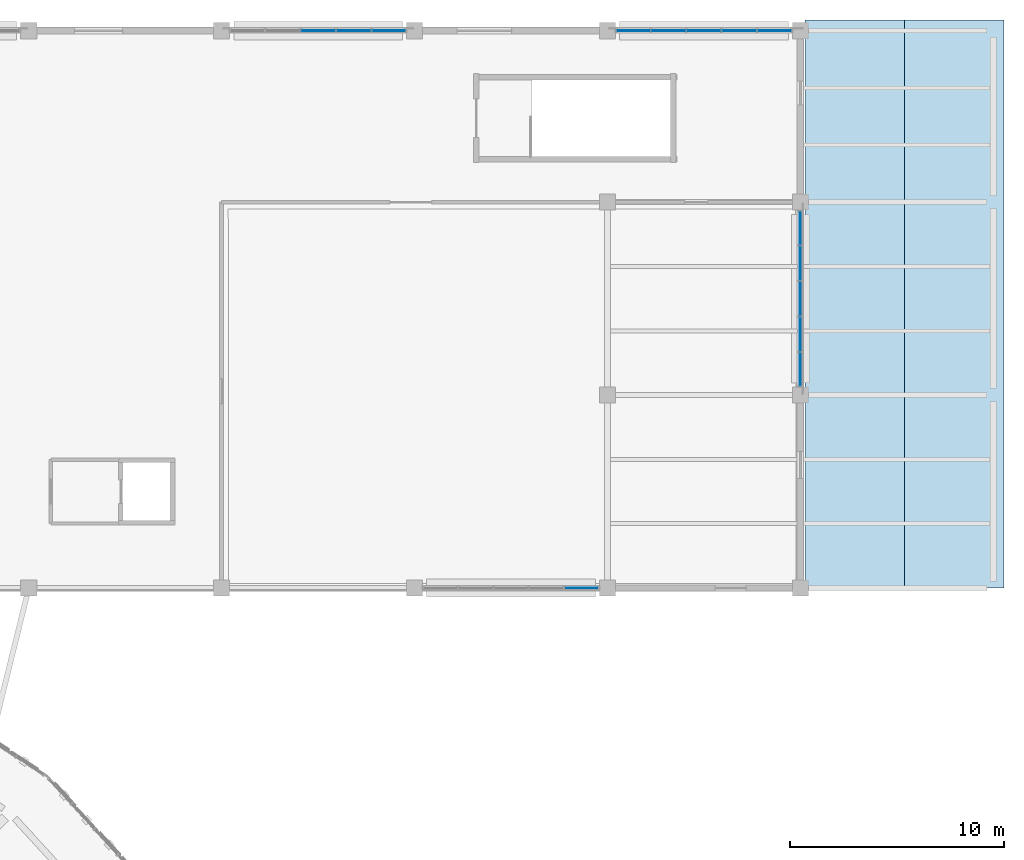
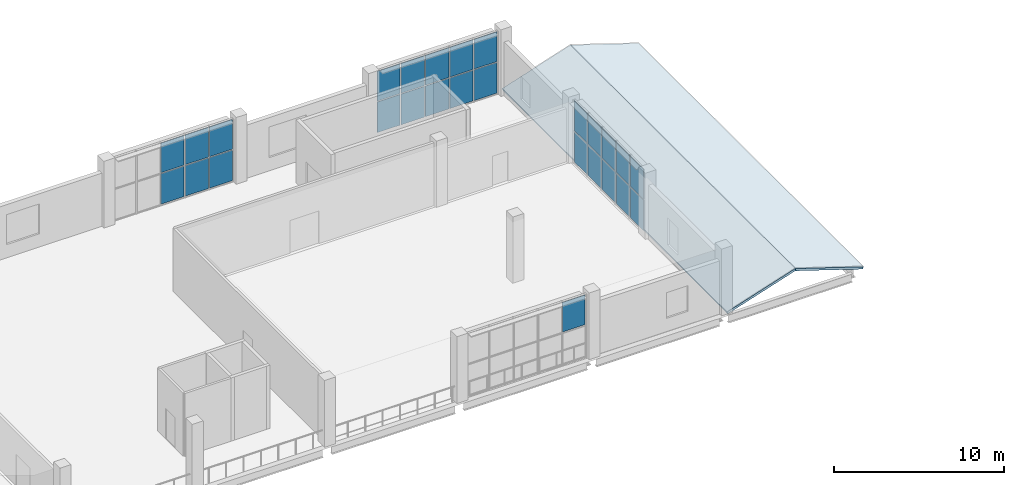
# One storey, part 89 of 152: 27 plates, 2 slabs, 4 elements without a shape of their own.
"""IFC4 building model written with IfcOpenShell, lengths in metres."""

from ifc_helpers import new_model, si_unit, direction, frame, origin, origin_2d, place, context, subcontext, project, spatial, polyline, rectangle, outline, extrude, material, layer, layer_set, type_object, element, aggregate, save


model = new_model("IFC4")

# Units and contexts
model_context = context("Model", 3, precision=1e-05, world=origin(), true_north=direction((0.0, 1.0)))
body_context = subcontext(model_context, "Body", "Model", "MODEL_VIEW")
ifc_project = project(units=[si_unit("LENGTHUNIT", "METRE"), si_unit("AREAUNIT", "SQUARE_METRE"), si_unit("VOLUMEUNIT", "CUBIC_METRE"), si_unit("PLANEANGLEUNIT", "RADIAN"), si_unit("MASSUNIT", "GRAM", prefix="KILO")], contexts=[model_context])

# Site, building, storey
site_placement = place(None, origin())
site = spatial("IfcSite", under=ifc_project, at=site_placement, CompositionType="ELEMENT")
building_placement = place(site_placement, origin())
building = spatial("IfcBuilding", under=site, at=building_placement, Name="Zevraka Park Crest Stadium", CompositionType="ELEMENT")
storey_placement = place(building_placement, frame((0.0, 0.0, 15.0)))
storey = spatial("IfcBuildingStorey", under=building, at=storey_placement, Name="L03", CompositionType="ELEMENT", Elevation=15.0)

# Curtain wall, plates
ifc_material_1 = material(Name="Anodised architectural aluminium and laminated safety glass", Category="aluminium")
curtain_wall_type_1 = type_object("IfcCurtainWallType", Name="CW27", PredefinedType="NOTDEFINED", material=ifc_material_1)
curtain_wall_1_placement = place(storey_placement, origin())
curtain_wall_1 = element("IfcCurtainWall", 1, at=curtain_wall_1_placement, inside=storey, type_object=curtain_wall_type_1, Name="Wing Curtain Wall CW27 L03-NGATE-N3-4", PredefinedType="NOTDEFINED")
ifc_material_2 = material(Name="Solar-control laminated double glazing", Category="glass")
ifc_layer_1 = layer(ifc_material_2, 0.035888671875)
ifc_layer_set_1 = layer_set([ifc_layer_1], Name="Solar-control laminated double glazing")
plate_type_1 = type_object("IfcPlateType", Name="CP27", PredefinedType="CURTAIN_PANEL", material=ifc_layer_set_1)
plate_1_placement = place(storey_placement, frame((192.5, 184.0, 0.06982421875), z_axis=(0.0, 0.0, 1.0), x_axis=(1.0, 0.0, 0.0)))
plate_1 = element("IfcPlate", 2, at=plate_1_placement, type_object=plate_type_1, Name="CW27 panel 3.1", PredefinedType="CURTAIN_PANEL", context=body_context, shape_type="SweptSolid", body=[
    extrude(rectangle(XDim=1.583984375, YDim=0.035888671875, at=origin_2d()), origin(), (0.0, 0.0, 1.0), 2.195068359375),
])
plate_2_placement = place(storey_placement, frame((192.5, 184.0, 2.3349609375), z_axis=(0.0, 0.0, 1.0), x_axis=(1.0, 0.0, 0.0)))
plate_2 = element("IfcPlate", 3, at=plate_2_placement, type_object=plate_type_1, Name="CW27 panel 3.2", PredefinedType="CURTAIN_PANEL", context=body_context, shape_type="SweptSolid", body=[
    extrude(rectangle(XDim=1.583984375, YDim=0.035888671875, at=origin_2d()), origin(), (0.0, 0.0, 1.0), 2.135009765625),
])
plate_3_placement = place(storey_placement, frame((194.154052734375, 184.0, 0.06982421875), z_axis=(0.0, 0.0, 1.0), x_axis=(1.0, 0.0, 0.0)))
plate_3 = element("IfcPlate", 4, at=plate_3_placement, type_object=plate_type_1, Name="CW27 panel 4.1", PredefinedType="CURTAIN_PANEL", context=body_context, shape_type="SweptSolid", body=[
    extrude(rectangle(XDim=1.583984375, YDim=0.035888671875, at=origin_2d()), origin(), (0.0, 0.0, 1.0), 2.195068359375),
])
plate_4_placement = place(storey_placement, frame((194.154052734375, 184.0, 2.3349609375), z_axis=(0.0, 0.0, 1.0), x_axis=(1.0, 0.0, 0.0)))
plate_4 = element("IfcPlate", 5, at=plate_4_placement, type_object=plate_type_1, Name="CW27 panel 4.2", PredefinedType="CURTAIN_PANEL", context=body_context, shape_type="SweptSolid", body=[
    extrude(rectangle(XDim=1.583984375, YDim=0.035888671875, at=origin_2d()), origin(), (0.0, 0.0, 1.0), 2.135009765625),
])
plate_5_placement = place(storey_placement, frame((195.79052734375, 184.0, 0.06982421875), z_axis=(0.0, 0.0, 1.0), x_axis=(1.0, 0.0, 0.0)))
plate_5 = element("IfcPlate", 6, at=plate_5_placement, type_object=plate_type_1, Name="CW27 panel 5.1", PredefinedType="CURTAIN_PANEL", context=body_context, shape_type="SweptSolid", body=[
    extrude(rectangle(XDim=1.549072265625, YDim=0.035888671875, at=origin_2d()), origin(), (0.0, 0.0, 1.0), 2.195068359375),
])
plate_6_placement = place(storey_placement, frame((195.79052734375, 184.0, 2.3349609375), z_axis=(0.0, 0.0, 1.0), x_axis=(1.0, 0.0, 0.0)))
plate_6 = element("IfcPlate", 7, at=plate_6_placement, type_object=plate_type_1, Name="CW27 panel 5.2", PredefinedType="CURTAIN_PANEL", context=body_context, shape_type="SweptSolid", body=[
    extrude(rectangle(XDim=1.549072265625, YDim=0.035888671875, at=origin_2d()), origin(), (0.0, 0.0, 1.0), 2.135009765625),
])
aggregate(curtain_wall_1, [plate_1, plate_2, plate_3, plate_4, plate_5, plate_6])

ifc_material_3 = material(Name="Anodised architectural aluminium and laminated safety glass", Category="aluminium")
curtain_wall_type_2 = type_object("IfcCurtainWallType", Name="CW29", PredefinedType="NOTDEFINED", material=ifc_material_3)
curtain_wall_2_placement = place(storey_placement, origin())
curtain_wall_2 = element("IfcCurtainWall", 8, at=curtain_wall_2_placement, inside=storey, type_object=curtain_wall_type_2, Name="Wing Curtain Wall CW29 L03-NGATE-N3-6", PredefinedType="NOTDEFINED")
ifc_material_4 = material(Name="Solar-control laminated double glazing", Category="glass")
ifc_layer_2 = layer(ifc_material_4, 0.035888671875)
ifc_layer_set_2 = layer_set([ifc_layer_2], Name="Solar-control laminated double glazing")
plate_type_2 = type_object("IfcPlateType", Name="CP29", PredefinedType="CURTAIN_PANEL", material=ifc_layer_set_2)
plate_7_placement = place(storey_placement, frame((207.208251953125, 184.0, 0.06494140625), z_axis=(0.0, 0.0, 1.0), x_axis=(1.0, 0.0, 0.0)))
plate_7 = element("IfcPlate", 9, at=plate_7_placement, type_object=plate_type_2, Name="CW29 panel 1.1", PredefinedType="CURTAIN_PANEL", context=body_context, shape_type="SweptSolid", body=[
    extrude(rectangle(XDim=1.556396484375, YDim=0.035888671875, at=origin_2d()), origin(), (0.0, 0.0, 1.0), 2.202392578125),
])
plate_8_placement = place(storey_placement, frame((207.208251953125, 184.0, 2.33251953125), z_axis=(0.0, 0.0, 1.0), x_axis=(1.0, 0.0, 0.0)))
plate_8 = element("IfcPlate", 10, at=plate_8_placement, type_object=plate_type_2, Name="CW29 panel 1.2", PredefinedType="CURTAIN_PANEL", context=body_context, shape_type="SweptSolid", body=[
    extrude(rectangle(XDim=1.556396484375, YDim=0.035888671875, at=origin_2d()), origin(), (0.0, 0.0, 1.0), 2.142578125),
])
plate_9_placement = place(storey_placement, frame((208.845947265625, 184.0, 0.06494140625), z_axis=(0.0, 0.0, 1.0), x_axis=(1.0, 0.0, 0.0)))
plate_9 = element("IfcPlate", 11, at=plate_9_placement, type_object=plate_type_2, Name="CW29 panel 2.1", PredefinedType="CURTAIN_PANEL", context=body_context, shape_type="SweptSolid", body=[
    extrude(rectangle(XDim=1.589111328125, YDim=0.035888671875, at=origin_2d()), origin(), (0.0, 0.0, 1.0), 2.202392578125),
])
plate_10_placement = place(storey_placement, frame((208.845947265625, 184.0, 2.33251953125), z_axis=(0.0, 0.0, 1.0), x_axis=(1.0, 0.0, 0.0)))
plate_10 = element("IfcPlate", 12, at=plate_10_placement, type_object=plate_type_2, Name="CW29 panel 2.2", PredefinedType="CURTAIN_PANEL", context=body_context, shape_type="SweptSolid", body=[
    extrude(rectangle(XDim=1.589111328125, YDim=0.035888671875, at=origin_2d()), origin(), (0.0, 0.0, 1.0), 2.142578125),
])
plate_11_placement = place(storey_placement, frame((210.5, 184.0, 0.06494140625), z_axis=(0.0, 0.0, 1.0), x_axis=(1.0, 0.0, 0.0)))
plate_11 = element("IfcPlate", 13, at=plate_11_placement, type_object=plate_type_2, Name="CW29 panel 3.1", PredefinedType="CURTAIN_PANEL", context=body_context, shape_type="SweptSolid", body=[
    extrude(rectangle(XDim=1.589111328125, YDim=0.035888671875, at=origin_2d()), origin(), (0.0, 0.0, 1.0), 2.202392578125),
])
plate_12_placement = place(storey_placement, frame((210.5, 184.0, 2.33251953125), z_axis=(0.0, 0.0, 1.0), x_axis=(1.0, 0.0, 0.0)))
plate_12 = element("IfcPlate", 14, at=plate_12_placement, type_object=plate_type_2, Name="CW29 panel 3.2", PredefinedType="CURTAIN_PANEL", context=body_context, shape_type="SweptSolid", body=[
    extrude(rectangle(XDim=1.589111328125, YDim=0.035888671875, at=origin_2d()), origin(), (0.0, 0.0, 1.0), 2.142578125),
])
plate_13_placement = place(storey_placement, frame((212.154052734375, 184.0, 0.06494140625), z_axis=(0.0, 0.0, 1.0), x_axis=(1.0, 0.0, 0.0)))
plate_13 = element("IfcPlate", 15, at=plate_13_placement, type_object=plate_type_2, Name="CW29 panel 4.1", PredefinedType="CURTAIN_PANEL", context=body_context, shape_type="SweptSolid", body=[
    extrude(rectangle(XDim=1.589111328125, YDim=0.035888671875, at=origin_2d()), origin(), (0.0, 0.0, 1.0), 2.202392578125),
])
plate_14_placement = place(storey_placement, frame((212.154052734375, 184.0, 2.33251953125), z_axis=(0.0, 0.0, 1.0), x_axis=(1.0, 0.0, 0.0)))
plate_14 = element("IfcPlate", 16, at=plate_14_placement, type_object=plate_type_2, Name="CW29 panel 4.2", PredefinedType="CURTAIN_PANEL", context=body_context, shape_type="SweptSolid", body=[
    extrude(rectangle(XDim=1.589111328125, YDim=0.035888671875, at=origin_2d()), origin(), (0.0, 0.0, 1.0), 2.142578125),
])
plate_15_placement = place(storey_placement, frame((213.791748046875, 184.0, 0.06494140625), z_axis=(0.0, 0.0, 1.0), x_axis=(1.0, 0.0, 0.0)))
plate_15 = element("IfcPlate", 17, at=plate_15_placement, type_object=plate_type_2, Name="CW29 panel 5.1", PredefinedType="CURTAIN_PANEL", context=body_context, shape_type="SweptSolid", body=[
    extrude(rectangle(XDim=1.556396484375, YDim=0.035888671875, at=origin_2d()), origin(), (0.0, 0.0, 1.0), 2.202392578125),
])
plate_16_placement = place(storey_placement, frame((213.791748046875, 184.0, 2.33251953125), z_axis=(0.0, 0.0, 1.0), x_axis=(1.0, 0.0, 0.0)))
plate_16 = element("IfcPlate", 18, at=plate_16_placement, type_object=plate_type_2, Name="CW29 panel 5.2", PredefinedType="CURTAIN_PANEL", context=body_context, shape_type="SweptSolid", body=[
    extrude(rectangle(XDim=1.556396484375, YDim=0.035888671875, at=origin_2d()), origin(), (0.0, 0.0, 1.0), 2.142578125),
])
aggregate(curtain_wall_2, [plate_7, plate_8, plate_9, plate_10, plate_11, plate_12, plate_13, plate_14, plate_15, plate_16])

ifc_material_5 = material(Name="Anodised architectural aluminium and laminated safety glass", Category="aluminium")
curtain_wall_type_3 = type_object("IfcCurtainWallType", Name="CW30", PredefinedType="NOTDEFINED", material=ifc_material_5)
curtain_wall_3_placement = place(storey_placement, origin())
curtain_wall_3 = element("IfcCurtainWall", 19, at=curtain_wall_3_placement, inside=storey, type_object=curtain_wall_type_3, Name="Wing Curtain Wall CW30 L03-NGATE-E3-2", PredefinedType="NOTDEFINED")
ifc_material_6 = material(Name="Solar-control laminated double glazing", Category="glass")
ifc_layer_3 = layer(ifc_material_6, 0.035888671875)
ifc_layer_set_3 = layer_set([ifc_layer_3], Name="Solar-control laminated double glazing")
plate_type_3 = type_object("IfcPlateType", Name="CP30", PredefinedType="CURTAIN_PANEL", material=ifc_layer_set_3)
plate_17_placement = place(storey_placement, frame((215.0, 174.79052734375, 0.06982421875), z_axis=(0.0, 0.0, 1.0), x_axis=(0.0, -1.0, 0.0)))
plate_17 = element("IfcPlate", 20, at=plate_17_placement, type_object=plate_type_3, Name="CW30 panel 1.1", PredefinedType="CURTAIN_PANEL", context=body_context, shape_type="SweptSolid", body=[
    extrude(rectangle(XDim=1.549072265625, YDim=0.035888671875, at=origin_2d()), origin(), (0.0, 0.0, 1.0), 2.195068359375),
])
plate_18_placement = place(storey_placement, frame((215.0, 174.79052734375, 2.3349609375), z_axis=(0.0, 0.0, 1.0), x_axis=(0.0, -1.0, 0.0)))
plate_18 = element("IfcPlate", 21, at=plate_18_placement, type_object=plate_type_3, Name="CW30 panel 1.2", PredefinedType="CURTAIN_PANEL", context=body_context, shape_type="SweptSolid", body=[
    extrude(rectangle(XDim=1.549072265625, YDim=0.035888671875, at=origin_2d()), origin(), (0.0, 0.0, 1.0), 2.135009765625),
])
plate_19_placement = place(storey_placement, frame((215.0, 173.154052734375, 0.06982421875), z_axis=(0.0, 0.0, 1.0), x_axis=(0.0, -1.0, 0.0)))
plate_19 = element("IfcPlate", 22, at=plate_19_placement, type_object=plate_type_3, Name="CW30 panel 2.1", PredefinedType="CURTAIN_PANEL", context=body_context, shape_type="SweptSolid", body=[
    extrude(rectangle(XDim=1.583984375, YDim=0.035888671875, at=origin_2d()), origin(), (0.0, 0.0, 1.0), 2.195068359375),
])
plate_20_placement = place(storey_placement, frame((215.0, 173.154052734375, 2.3349609375), z_axis=(0.0, 0.0, 1.0), x_axis=(0.0, -1.0, 0.0)))
plate_20 = element("IfcPlate", 23, at=plate_20_placement, type_object=plate_type_3, Name="CW30 panel 2.2", PredefinedType="CURTAIN_PANEL", context=body_context, shape_type="SweptSolid", body=[
    extrude(rectangle(XDim=1.583984375, YDim=0.035888671875, at=origin_2d()), origin(), (0.0, 0.0, 1.0), 2.135009765625),
])
plate_21_placement = place(storey_placement, frame((215.0, 171.5, 0.06982421875), z_axis=(0.0, 0.0, 1.0), x_axis=(0.0, -1.0, 0.0)))
plate_21 = element("IfcPlate", 24, at=plate_21_placement, type_object=plate_type_3, Name="CW30 panel 3.1", PredefinedType="CURTAIN_PANEL", context=body_context, shape_type="SweptSolid", body=[
    extrude(rectangle(XDim=1.583984375, YDim=0.035888671875, at=origin_2d()), origin(), (0.0, 0.0, 1.0), 2.195068359375),
])
plate_22_placement = place(storey_placement, frame((215.0, 171.5, 2.3349609375), z_axis=(0.0, 0.0, 1.0), x_axis=(0.0, -1.0, 0.0)))
plate_22 = element("IfcPlate", 25, at=plate_22_placement, type_object=plate_type_3, Name="CW30 panel 3.2", PredefinedType="CURTAIN_PANEL", context=body_context, shape_type="SweptSolid", body=[
    extrude(rectangle(XDim=1.583984375, YDim=0.035888671875, at=origin_2d()), origin(), (0.0, 0.0, 1.0), 2.135009765625),
])
plate_23_placement = place(storey_placement, frame((215.0, 169.845947265625, 0.06982421875), z_axis=(0.0, 0.0, 1.0), x_axis=(0.0, -1.0, 0.0)))
plate_23 = element("IfcPlate", 26, at=plate_23_placement, type_object=plate_type_3, Name="CW30 panel 4.1", PredefinedType="CURTAIN_PANEL", context=body_context, shape_type="SweptSolid", body=[
    extrude(rectangle(XDim=1.583984375, YDim=0.035888671875, at=origin_2d()), origin(), (0.0, 0.0, 1.0), 2.195068359375),
])
plate_24_placement = place(storey_placement, frame((215.0, 169.845947265625, 2.3349609375), z_axis=(0.0, 0.0, 1.0), x_axis=(0.0, -1.0, 0.0)))
plate_24 = element("IfcPlate", 27, at=plate_24_placement, type_object=plate_type_3, Name="CW30 panel 4.2", PredefinedType="CURTAIN_PANEL", context=body_context, shape_type="SweptSolid", body=[
    extrude(rectangle(XDim=1.583984375, YDim=0.035888671875, at=origin_2d()), origin(), (0.0, 0.0, 1.0), 2.135009765625),
])
plate_25_placement = place(storey_placement, frame((215.0, 168.20947265625, 0.06982421875), z_axis=(0.0, 0.0, 1.0), x_axis=(0.0, -1.0, 0.0)))
plate_25 = element("IfcPlate", 28, at=plate_25_placement, type_object=plate_type_3, Name="CW30 panel 5.1", PredefinedType="CURTAIN_PANEL", context=body_context, shape_type="SweptSolid", body=[
    extrude(rectangle(XDim=1.549072265625, YDim=0.035888671875, at=origin_2d()), origin(), (0.0, 0.0, 1.0), 2.195068359375),
])
plate_26_placement = place(storey_placement, frame((215.0, 168.20947265625, 2.3349609375), z_axis=(0.0, 0.0, 1.0), x_axis=(0.0, -1.0, 0.0)))
plate_26 = element("IfcPlate", 29, at=plate_26_placement, type_object=plate_type_3, Name="CW30 panel 5.2", PredefinedType="CURTAIN_PANEL", context=body_context, shape_type="SweptSolid", body=[
    extrude(rectangle(XDim=1.549072265625, YDim=0.035888671875, at=origin_2d()), origin(), (0.0, 0.0, 1.0), 2.135009765625),
])
aggregate(curtain_wall_3, [plate_17, plate_18, plate_19, plate_20, plate_21, plate_22, plate_23, plate_24, plate_25, plate_26])

# Curtain wall, plate
curtain_wall_4_placement = place(storey_placement, origin())
curtain_wall_4 = element("IfcCurtainWall", 30, at=curtain_wall_4_placement, inside=storey, type_object=curtain_wall_type_3, Name="Wing Curtain Wall CW30 L03-NGATE-S3-2", PredefinedType="NOTDEFINED")
plate_27_placement = place(storey_placement, frame((204.79052734375, 158.0, 2.3349609375), z_axis=(0.0, 0.0, 1.0), x_axis=(-1.0, 0.0, 0.0)))
plate_27 = element("IfcPlate", 31, at=plate_27_placement, type_object=plate_type_3, Name="CW30 panel 1.2", PredefinedType="CURTAIN_PANEL", context=body_context, shape_type="SweptSolid", body=[
    extrude(rectangle(XDim=1.549072265625, YDim=0.035888671875, at=origin_2d()), origin(), (0.0, 0.0, 1.0), 2.135009765625),
])
aggregate(curtain_wall_4, [plate_27])

# Slabs
ifc_material_7 = material(Name="Concrete C35/45", Category="concrete")
ifc_layer_4 = layer(ifc_material_7, 0.159912109375)
ifc_layer_set_4 = layer_set([ifc_layer_4], Name="Concrete C35/45")
slab_type = type_object("IfcSlabType", Name="RS02", PredefinedType="ROOF", material=ifc_layer_set_4)
slab_1_placement = place(storey_placement, frame((215.219970703125, 184.5, -0.14990234375), z_axis=(-0.307593674999, 0.0, 0.95151780388), x_axis=(0.0, -1.0, 0.0)))
element("IfcSlab", 32, at=slab_1_placement, inside=storey, type_object=slab_type, Name="Pitched Pavilion Roof Slab RS02 NGATE-STEP-ROOF-W", PredefinedType="ROOF", context=body_context, shape_type="SweptSolid", body=[
    extrude(outline(polyline([(0.0, 0.0), (26.5, 0.0), (26.5, 4.8765632128264285), (0.0, 4.8765632128264285), (0.0, 0.0)])), origin(), (0.0, 0.0, -1.0), 0.159912109375),
])
slab_2_placement = place(storey_placement, frame((224.5, 158.0, -0.14990234375), z_axis=(0.307608328457, 0.0, 0.951513066786), x_axis=(0.0, 1.0, 0.0)))
element("IfcSlab", 33, at=slab_2_placement, inside=storey, type_object=slab_type, Name="Pitched Pavilion Roof Slab RS02 NGATE-STEP-ROOF-E", PredefinedType="ROOF", context=body_context, shape_type="SweptSolid", body=[
    extrude(outline(polyline([(0.0, 0.0), (26.5, 0.0), (26.5, 4.876330909253335), (0.0, 4.876330909253335), (0.0, 0.0)])), origin(), (0.0, 0.0, -1.0), 0.159912109375),
])

save(model, "model.ifc")
